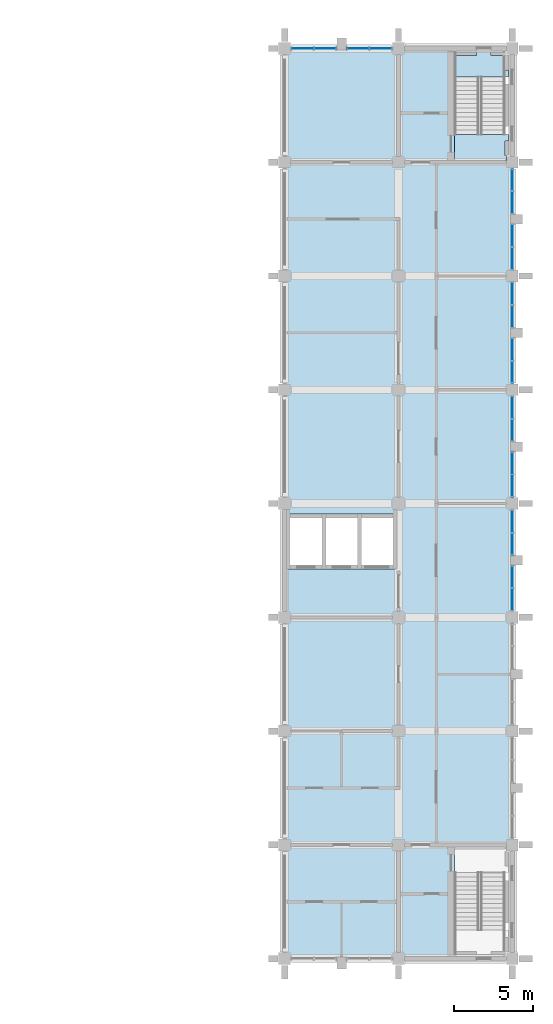
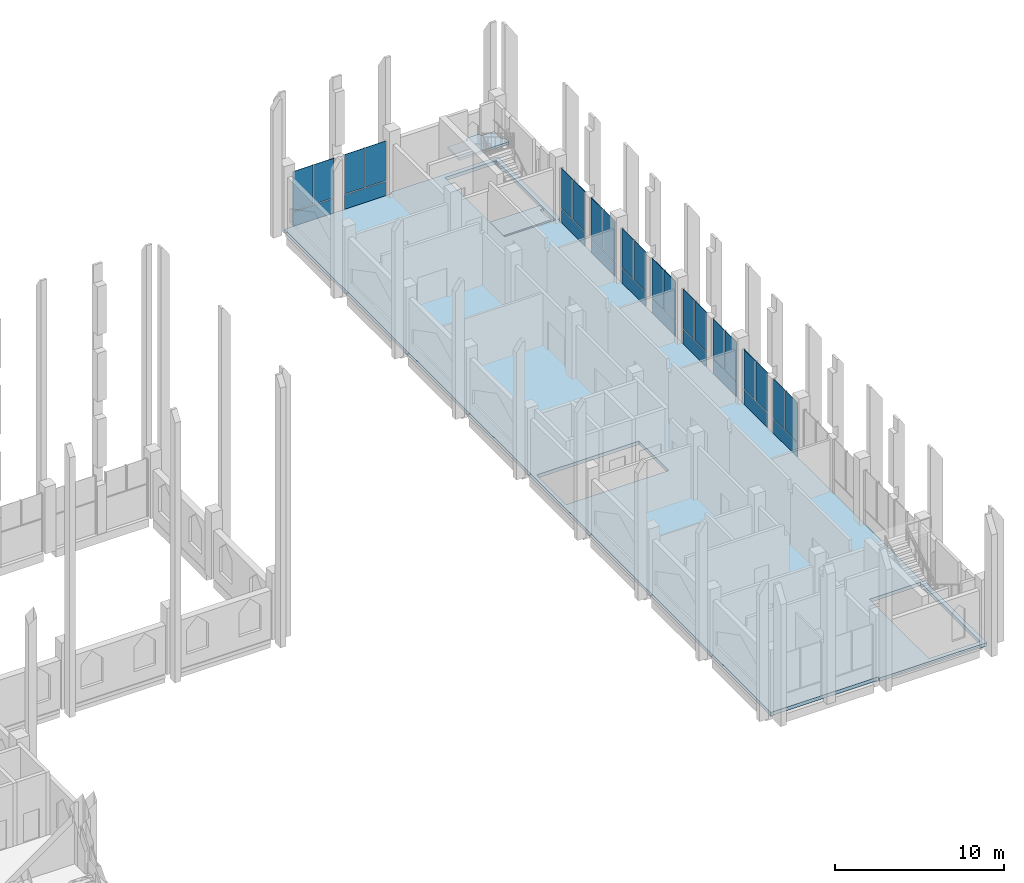
# One storey, part 26 of 40: 30 plates, 3 slabs, 11 elements without a shape of their own.
"""IFC4 building model written with IfcOpenShell, lengths in metres."""

from ifc_helpers import new_model, si_unit, direction, frame, origin, origin_2d, place, context, subcontext, project, spatial, polyline, rectangle, outline, extrude, material, layer, layer_set, type_object, element, aggregate, save


model = new_model("IFC4")

# Units and contexts
model_context = context("Model", 3, precision=1e-05, world=origin(), true_north=direction((0.0, 1.0)))
body_context = subcontext(model_context, "Body", "Model", "MODEL_VIEW")
ifc_project = project(units=[si_unit("LENGTHUNIT", "METRE"), si_unit("AREAUNIT", "SQUARE_METRE"), si_unit("VOLUMEUNIT", "CUBIC_METRE"), si_unit("PLANEANGLEUNIT", "RADIAN"), si_unit("MASSUNIT", "GRAM", prefix="KILO")], contexts=[model_context])

# Site, building, storey
site_placement = place(None, origin())
site = spatial("IfcSite", under=ifc_project, at=site_placement, CompositionType="ELEMENT")
building_placement = place(site_placement, origin())
building = spatial("IfcBuilding", under=site, at=building_placement, Name="Silangan Lancet Faculty of Sciences", CompositionType="ELEMENT")
storey_placement = place(building_placement, frame((0.0, 0.0, 21.60009765625)))
storey = spatial("IfcBuildingStorey", under=building, at=storey_placement, Name="L04", CompositionType="ELEMENT", Elevation=21.60009765625)

# Curtain wall, plates
ifc_material_1 = material(Name="Aluminium framed curtain wall with insulated glass", Category="aluminium")
curtain_wall_type = type_object("IfcCurtainWallType", Name="CW1 Commons and east block glazing", PredefinedType="NOTDEFINED", material=ifc_material_1)
curtain_wall_1_placement = place(storey_placement, origin())
curtain_wall_1 = element("IfcCurtainWall", 1, at=curtain_wall_1_placement, inside=storey, type_object=curtain_wall_type, Name="CW1 East commons L04 bay 5", PredefinedType="NOTDEFINED")
ifc_material_2 = material(Name="Insulated glass unit 8+16+8 low-emissivity", Category="glass")
ifc_layer_1 = layer(ifc_material_2, 0.031982421875)
ifc_layer_set_1 = layer_set([ifc_layer_1], Name="Insulated glass unit 8+16+8 low-emissivity")
plate_type_1 = type_object("IfcPlateType", Name="CP1 Panel vision glass 32", PredefinedType="CURTAIN_PANEL", material=ifc_layer_set_1)
plate_1_placement = place(storey_placement, frame((86.39990234375, 22.72119140625, 1.099853515625), z_axis=(0.0, 0.0, 1.0), x_axis=(0.0, 1.0, 0.0)))
plate_1 = element("IfcPlate", 2, at=plate_1_placement, type_object=plate_type_1, Name="CW1 East commons L04 bay 5 panel 2", PredefinedType="CURTAIN_PANEL", context=body_context, shape_type="SweptSolid", body=[
    extrude(rectangle(XDim=1.37255859375, YDim=0.031982421875, at=origin_2d()), origin(), (0.0, 0.0, 1.0), 2.85009765625),
])
plate_2_placement = place(storey_placement, frame((86.39990234375, 24.15380859375, 1.099853515625), z_axis=(0.0, 0.0, 1.0), x_axis=(0.0, 1.0, 0.0)))
plate_2 = element("IfcPlate", 3, at=plate_2_placement, type_object=plate_type_1, Name="CW1 East commons L04 bay 5 panel 3", PredefinedType="CURTAIN_PANEL", context=body_context, shape_type="SweptSolid", body=[
    extrude(rectangle(XDim=1.37255859375, YDim=0.031982421875, at=origin_2d()), origin(), (0.0, 0.0, 1.0), 2.85009765625),
])

curtain_wall_2_placement = place(storey_placement, origin())
curtain_wall_2 = element("IfcCurtainWall", 4, at=curtain_wall_2_placement, inside=storey, type_object=curtain_wall_type, Name="CW1 East commons L04 bay 6", PredefinedType="NOTDEFINED")
plate_3_placement = place(storey_placement, frame((86.39990234375, 26.246337890625, 1.099853515625), z_axis=(0.0, 0.0, 1.0), x_axis=(0.0, 1.0, 0.0)))
plate_3 = element("IfcPlate", 5, at=plate_3_placement, type_object=plate_type_1, Name="CW1 East commons L04 bay 6 panel 2", PredefinedType="CURTAIN_PANEL", context=body_context, shape_type="SweptSolid", body=[
    extrude(rectangle(XDim=1.37255859375, YDim=0.031982421875, at=origin_2d()), origin(), (0.0, 0.0, 1.0), 2.85009765625),
])
plate_4_placement = place(storey_placement, frame((86.39990234375, 27.6787109375, 1.099853515625), z_axis=(0.0, 0.0, 1.0), x_axis=(0.0, 1.0, 0.0)))
plate_4 = element("IfcPlate", 6, at=plate_4_placement, type_object=plate_type_1, Name="CW1 East commons L04 bay 6 panel 3", PredefinedType="CURTAIN_PANEL", context=body_context, shape_type="SweptSolid", body=[
    extrude(rectangle(XDim=1.37255859375, YDim=0.031982421875, at=origin_2d()), origin(), (0.0, 0.0, 1.0), 2.85009765625),
])

curtain_wall_3_placement = place(storey_placement, origin())
curtain_wall_3 = element("IfcCurtainWall", 7, at=curtain_wall_3_placement, inside=storey, type_object=curtain_wall_type, Name="CW1 East commons L04 bay 7", PredefinedType="NOTDEFINED")
plate_5_placement = place(storey_placement, frame((86.39990234375, 29.921142578125, 1.099853515625), z_axis=(0.0, 0.0, 1.0), x_axis=(0.0, 1.0, 0.0)))
plate_5 = element("IfcPlate", 8, at=plate_5_placement, type_object=plate_type_1, Name="CW1 East commons L04 bay 7 panel 2", PredefinedType="CURTAIN_PANEL", context=body_context, shape_type="SweptSolid", body=[
    extrude(rectangle(XDim=1.37255859375, YDim=0.031982421875, at=origin_2d()), origin(), (0.0, 0.0, 1.0), 2.85009765625),
])
plate_6_placement = place(storey_placement, frame((86.39990234375, 31.353759765625, 1.099853515625), z_axis=(0.0, 0.0, 1.0), x_axis=(0.0, 1.0, 0.0)))
plate_6 = element("IfcPlate", 9, at=plate_6_placement, type_object=plate_type_1, Name="CW1 East commons L04 bay 7 panel 3", PredefinedType="CURTAIN_PANEL", context=body_context, shape_type="SweptSolid", body=[
    extrude(rectangle(XDim=1.37255859375, YDim=0.031982421875, at=origin_2d()), origin(), (0.0, 0.0, 1.0), 2.85009765625),
])

curtain_wall_4_placement = place(storey_placement, origin())
curtain_wall_4 = element("IfcCurtainWall", 10, at=curtain_wall_4_placement, inside=storey, type_object=curtain_wall_type, Name="CW1 East commons L04 bay 8", PredefinedType="NOTDEFINED")
plate_7_placement = place(storey_placement, frame((86.39990234375, 33.4462890625, 1.099853515625), z_axis=(0.0, 0.0, 1.0), x_axis=(0.0, 1.0, 0.0)))
plate_7 = element("IfcPlate", 11, at=plate_7_placement, type_object=plate_type_1, Name="CW1 East commons L04 bay 8 panel 2", PredefinedType="CURTAIN_PANEL", context=body_context, shape_type="SweptSolid", body=[
    extrude(rectangle(XDim=1.37255859375, YDim=0.031982421875, at=origin_2d()), origin(), (0.0, 0.0, 1.0), 2.85009765625),
])
plate_8_placement = place(storey_placement, frame((86.39990234375, 34.878662109375, 1.099853515625), z_axis=(0.0, 0.0, 1.0), x_axis=(0.0, 1.0, 0.0)))
plate_8 = element("IfcPlate", 12, at=plate_8_placement, type_object=plate_type_1, Name="CW1 East commons L04 bay 8 panel 3", PredefinedType="CURTAIN_PANEL", context=body_context, shape_type="SweptSolid", body=[
    extrude(rectangle(XDim=1.37255859375, YDim=0.031982421875, at=origin_2d()), origin(), (0.0, 0.0, 1.0), 2.85009765625),
])

curtain_wall_5_placement = place(storey_placement, origin())
curtain_wall_5 = element("IfcCurtainWall", 13, at=curtain_wall_5_placement, inside=storey, type_object=curtain_wall_type, Name="CW1 East commons L04 bay 9", PredefinedType="NOTDEFINED")
plate_9_placement = place(storey_placement, frame((86.39990234375, 37.121337890625, 1.099853515625), z_axis=(0.0, 0.0, 1.0), x_axis=(0.0, 1.0, 0.0)))
plate_9 = element("IfcPlate", 14, at=plate_9_placement, type_object=plate_type_1, Name="CW1 East commons L04 bay 9 panel 2", PredefinedType="CURTAIN_PANEL", context=body_context, shape_type="SweptSolid", body=[
    extrude(rectangle(XDim=1.37255859375, YDim=0.031982421875, at=origin_2d()), origin(), (0.0, 0.0, 1.0), 2.85009765625),
])
plate_10_placement = place(storey_placement, frame((86.39990234375, 38.5537109375, 1.099853515625), z_axis=(0.0, 0.0, 1.0), x_axis=(0.0, 1.0, 0.0)))
plate_10 = element("IfcPlate", 15, at=plate_10_placement, type_object=plate_type_1, Name="CW1 East commons L04 bay 9 panel 3", PredefinedType="CURTAIN_PANEL", context=body_context, shape_type="SweptSolid", body=[
    extrude(rectangle(XDim=1.37255859375, YDim=0.031982421875, at=origin_2d()), origin(), (0.0, 0.0, 1.0), 2.85009765625),
])

curtain_wall_6_placement = place(storey_placement, origin())
curtain_wall_6 = element("IfcCurtainWall", 16, at=curtain_wall_6_placement, inside=storey, type_object=curtain_wall_type, Name="CW1 East commons L04 bay 10", PredefinedType="NOTDEFINED")
plate_11_placement = place(storey_placement, frame((86.39990234375, 40.646240234375, 1.099853515625), z_axis=(0.0, 0.0, 1.0), x_axis=(0.0, 1.0, 0.0)))
plate_11 = element("IfcPlate", 17, at=plate_11_placement, type_object=plate_type_1, Name="CW1 East commons L04 bay 10 panel 2", PredefinedType="CURTAIN_PANEL", context=body_context, shape_type="SweptSolid", body=[
    extrude(rectangle(XDim=1.37255859375, YDim=0.031982421875, at=origin_2d()), origin(), (0.0, 0.0, 1.0), 2.85009765625),
])
plate_12_placement = place(storey_placement, frame((86.39990234375, 42.078857421875, 1.099853515625), z_axis=(0.0, 0.0, 1.0), x_axis=(0.0, 1.0, 0.0)))
plate_12 = element("IfcPlate", 18, at=plate_12_placement, type_object=plate_type_1, Name="CW1 East commons L04 bay 10 panel 3", PredefinedType="CURTAIN_PANEL", context=body_context, shape_type="SweptSolid", body=[
    extrude(rectangle(XDim=1.37255859375, YDim=0.031982421875, at=origin_2d()), origin(), (0.0, 0.0, 1.0), 2.85009765625),
])

curtain_wall_7_placement = place(storey_placement, origin())
curtain_wall_7 = element("IfcCurtainWall", 19, at=curtain_wall_7_placement, inside=storey, type_object=curtain_wall_type, Name="CW1 East commons L04 bay 11", PredefinedType="NOTDEFINED")
plate_13_placement = place(storey_placement, frame((86.39990234375, 44.3212890625, 1.099853515625), z_axis=(0.0, 0.0, 1.0), x_axis=(0.0, 1.0, 0.0)))
plate_13 = element("IfcPlate", 20, at=plate_13_placement, type_object=plate_type_1, Name="CW1 East commons L04 bay 11 panel 2", PredefinedType="CURTAIN_PANEL", context=body_context, shape_type="SweptSolid", body=[
    extrude(rectangle(XDim=1.37255859375, YDim=0.031982421875, at=origin_2d()), origin(), (0.0, 0.0, 1.0), 2.85009765625),
])
plate_14_placement = place(storey_placement, frame((86.39990234375, 45.753662109375, 1.099853515625), z_axis=(0.0, 0.0, 1.0), x_axis=(0.0, 1.0, 0.0)))
plate_14 = element("IfcPlate", 21, at=plate_14_placement, type_object=plate_type_1, Name="CW1 East commons L04 bay 11 panel 3", PredefinedType="CURTAIN_PANEL", context=body_context, shape_type="SweptSolid", body=[
    extrude(rectangle(XDim=1.37255859375, YDim=0.031982421875, at=origin_2d()), origin(), (0.0, 0.0, 1.0), 2.85009765625),
])

curtain_wall_8_placement = place(storey_placement, origin())
curtain_wall_8 = element("IfcCurtainWall", 22, at=curtain_wall_8_placement, inside=storey, type_object=curtain_wall_type, Name="CW1 East commons L04 bay 12", PredefinedType="NOTDEFINED")
plate_15_placement = place(storey_placement, frame((86.39990234375, 47.84619140625, 1.099853515625), z_axis=(0.0, 0.0, 1.0), x_axis=(0.0, 1.0, 0.0)))
plate_15 = element("IfcPlate", 23, at=plate_15_placement, type_object=plate_type_1, Name="CW1 East commons L04 bay 12 panel 2", PredefinedType="CURTAIN_PANEL", context=body_context, shape_type="SweptSolid", body=[
    extrude(rectangle(XDim=1.37255859375, YDim=0.031982421875, at=origin_2d()), origin(), (0.0, 0.0, 1.0), 2.85009765625),
])
plate_16_placement = place(storey_placement, frame((86.39990234375, 49.27880859375, 1.099853515625), z_axis=(0.0, 0.0, 1.0), x_axis=(0.0, 1.0, 0.0)))
plate_16 = element("IfcPlate", 24, at=plate_16_placement, type_object=plate_type_1, Name="CW1 East commons L04 bay 12 panel 3", PredefinedType="CURTAIN_PANEL", context=body_context, shape_type="SweptSolid", body=[
    extrude(rectangle(XDim=1.37255859375, YDim=0.031982421875, at=origin_2d()), origin(), (0.0, 0.0, 1.0), 2.85009765625),
])

curtain_wall_9_placement = place(storey_placement, origin())
curtain_wall_9 = element("IfcCurtainWall", 25, at=curtain_wall_9_placement, inside=storey, type_object=curtain_wall_type, Name="CW1 East block north L04 bay 1", PredefinedType="NOTDEFINED")
plate_17_placement = place(storey_placement, frame((78.078857421875, 57.60009765625, 1.099853515625), z_axis=(0.0, 0.0, 1.0), x_axis=(-1.0, 0.0, 0.0)))
plate_17 = element("IfcPlate", 26, at=plate_17_placement, type_object=plate_type_1, Name="CW1 East block north L04 bay 1 panel 2", PredefinedType="CURTAIN_PANEL", context=body_context, shape_type="SweptSolid", body=[
    extrude(rectangle(XDim=1.37255859375, YDim=0.031982421875, at=origin_2d()), origin(), (0.0, 0.0, 1.0), 2.85009765625),
])
plate_18_placement = place(storey_placement, frame((76.646240234375, 57.60009765625, 1.099853515625), z_axis=(0.0, 0.0, 1.0), x_axis=(-1.0, 0.0, 0.0)))
plate_18 = element("IfcPlate", 27, at=plate_18_placement, type_object=plate_type_1, Name="CW1 East block north L04 bay 1 panel 3", PredefinedType="CURTAIN_PANEL", context=body_context, shape_type="SweptSolid", body=[
    extrude(rectangle(XDim=1.37255859375, YDim=0.031982421875, at=origin_2d()), origin(), (0.0, 0.0, 1.0), 2.85009765625),
])

curtain_wall_10_placement = place(storey_placement, origin())
curtain_wall_10 = element("IfcCurtainWall", 28, at=curtain_wall_10_placement, inside=storey, type_object=curtain_wall_type, Name="CW1 East block north L04 bay 2", PredefinedType="NOTDEFINED")
plate_19_placement = place(storey_placement, frame((74.5537109375, 57.60009765625, 1.099853515625), z_axis=(0.0, 0.0, 1.0), x_axis=(-1.0, 0.0, 0.0)))
plate_19 = element("IfcPlate", 29, at=plate_19_placement, type_object=plate_type_1, Name="CW1 East block north L04 bay 2 panel 2", PredefinedType="CURTAIN_PANEL", context=body_context, shape_type="SweptSolid", body=[
    extrude(rectangle(XDim=1.37255859375, YDim=0.031982421875, at=origin_2d()), origin(), (0.0, 0.0, 1.0), 2.85009765625),
])
plate_20_placement = place(storey_placement, frame((73.121337890625, 57.60009765625, 1.099853515625), z_axis=(0.0, 0.0, 1.0), x_axis=(-1.0, 0.0, 0.0)))
plate_20 = element("IfcPlate", 30, at=plate_20_placement, type_object=plate_type_1, Name="CW1 East block north L04 bay 2 panel 3", PredefinedType="CURTAIN_PANEL", context=body_context, shape_type="SweptSolid", body=[
    extrude(rectangle(XDim=1.37255859375, YDim=0.031982421875, at=origin_2d()), origin(), (0.0, 0.0, 1.0), 2.85009765625),
])

# Plate
ifc_material_3 = material(Name="Laminated insulated glass unit 10.76+14+8", Category="glass")
ifc_layer_2 = layer(ifc_material_3, 0.035888671875)
ifc_layer_set_2 = layer_set([ifc_layer_2], Name="Laminated insulated glass unit 10.76+14+8")
plate_type_2 = type_object("IfcPlateType", Name="CP2 Panel laminated glass 36", PredefinedType="CURTAIN_PANEL", material=ifc_layer_set_2)
plate_21_placement = place(storey_placement, frame((86.39990234375, 23.4375, 0.0), z_axis=(0.0, 0.0, 1.0), x_axis=(0.0, 1.0, 0.0)))
plate_21 = element("IfcPlate", 31, at=plate_21_placement, type_object=plate_type_2, Name="CW1 East commons L04 bay 5 panel 1", PredefinedType="CURTAIN_PANEL", context=body_context, shape_type="SweptSolid", body=[
    extrude(rectangle(XDim=2.804931640625, YDim=0.035888671875, at=origin_2d()), origin(), (0.0, 0.0, 1.0), 1.0400390625),
])

aggregate(curtain_wall_1, [plate_21, plate_1, plate_2])

plate_22_placement = place(storey_placement, frame((86.39990234375, 26.96240234375, 0.0), z_axis=(0.0, 0.0, 1.0), x_axis=(0.0, 1.0, 0.0)))
plate_22 = element("IfcPlate", 32, at=plate_22_placement, type_object=plate_type_2, Name="CW1 East commons L04 bay 6 panel 1", PredefinedType="CURTAIN_PANEL", context=body_context, shape_type="SweptSolid", body=[
    extrude(rectangle(XDim=2.804931640625, YDim=0.035888671875, at=origin_2d()), origin(), (0.0, 0.0, 1.0), 1.0400390625),
])

aggregate(curtain_wall_2, [plate_22, plate_3, plate_4])

plate_23_placement = place(storey_placement, frame((86.39990234375, 30.637451171875, 0.0), z_axis=(0.0, 0.0, 1.0), x_axis=(0.0, 1.0, 0.0)))
plate_23 = element("IfcPlate", 33, at=plate_23_placement, type_object=plate_type_2, Name="CW1 East commons L04 bay 7 panel 1", PredefinedType="CURTAIN_PANEL", context=body_context, shape_type="SweptSolid", body=[
    extrude(rectangle(XDim=2.804931640625, YDim=0.035888671875, at=origin_2d()), origin(), (0.0, 0.0, 1.0), 1.0400390625),
])

aggregate(curtain_wall_3, [plate_23, plate_5, plate_6])

plate_24_placement = place(storey_placement, frame((86.39990234375, 34.162353515625, 0.0), z_axis=(0.0, 0.0, 1.0), x_axis=(0.0, 1.0, 0.0)))
plate_24 = element("IfcPlate", 34, at=plate_24_placement, type_object=plate_type_2, Name="CW1 East commons L04 bay 8 panel 1", PredefinedType="CURTAIN_PANEL", context=body_context, shape_type="SweptSolid", body=[
    extrude(rectangle(XDim=2.80517578125, YDim=0.035888671875, at=origin_2d()), origin(), (0.0, 0.0, 1.0), 1.0400390625),
])

aggregate(curtain_wall_4, [plate_24, plate_7, plate_8])

plate_25_placement = place(storey_placement, frame((86.39990234375, 37.837646484375, 0.0), z_axis=(0.0, 0.0, 1.0), x_axis=(0.0, 1.0, 0.0)))
plate_25 = element("IfcPlate", 35, at=plate_25_placement, type_object=plate_type_2, Name="CW1 East commons L04 bay 9 panel 1", PredefinedType="CURTAIN_PANEL", context=body_context, shape_type="SweptSolid", body=[
    extrude(rectangle(XDim=2.80517578125, YDim=0.035888671875, at=origin_2d()), origin(), (0.0, 0.0, 1.0), 1.0400390625),
])

aggregate(curtain_wall_5, [plate_25, plate_9, plate_10])

plate_26_placement = place(storey_placement, frame((86.39990234375, 41.362548828125, 0.0), z_axis=(0.0, 0.0, 1.0), x_axis=(0.0, 1.0, 0.0)))
plate_26 = element("IfcPlate", 36, at=plate_26_placement, type_object=plate_type_2, Name="CW1 East commons L04 bay 10 panel 1", PredefinedType="CURTAIN_PANEL", context=body_context, shape_type="SweptSolid", body=[
    extrude(rectangle(XDim=2.804931640625, YDim=0.035888671875, at=origin_2d()), origin(), (0.0, 0.0, 1.0), 1.0400390625),
])

aggregate(curtain_wall_6, [plate_26, plate_11, plate_12])

plate_27_placement = place(storey_placement, frame((86.39990234375, 45.03759765625, 0.0), z_axis=(0.0, 0.0, 1.0), x_axis=(0.0, 1.0, 0.0)))
plate_27 = element("IfcPlate", 37, at=plate_27_placement, type_object=plate_type_2, Name="CW1 East commons L04 bay 11 panel 1", PredefinedType="CURTAIN_PANEL", context=body_context, shape_type="SweptSolid", body=[
    extrude(rectangle(XDim=2.804931640625, YDim=0.035888671875, at=origin_2d()), origin(), (0.0, 0.0, 1.0), 1.0400390625),
])

aggregate(curtain_wall_7, [plate_27, plate_13, plate_14])

plate_28_placement = place(storey_placement, frame((86.39990234375, 48.5625, 0.0), z_axis=(0.0, 0.0, 1.0), x_axis=(0.0, 1.0, 0.0)))
plate_28 = element("IfcPlate", 38, at=plate_28_placement, type_object=plate_type_2, Name="CW1 East commons L04 bay 12 panel 1", PredefinedType="CURTAIN_PANEL", context=body_context, shape_type="SweptSolid", body=[
    extrude(rectangle(XDim=2.804931640625, YDim=0.035888671875, at=origin_2d()), origin(), (0.0, 0.0, 1.0), 1.0400390625),
])

aggregate(curtain_wall_8, [plate_28, plate_15, plate_16])

plate_29_placement = place(storey_placement, frame((77.362548828125, 57.60009765625, 0.0), z_axis=(0.0, 0.0, 1.0), x_axis=(-1.0, 0.0, 0.0)))
plate_29 = element("IfcPlate", 39, at=plate_29_placement, type_object=plate_type_2, Name="CW1 East block north L04 bay 1 panel 1", PredefinedType="CURTAIN_PANEL", context=body_context, shape_type="SweptSolid", body=[
    extrude(rectangle(XDim=2.804931640625, YDim=0.035888671875, at=origin_2d()), origin(), (0.0, 0.0, 1.0), 1.0400390625),
])

aggregate(curtain_wall_9, [plate_29, plate_17, plate_18])

plate_30_placement = place(storey_placement, frame((73.837646484375, 57.60009765625, 0.0), z_axis=(0.0, 0.0, 1.0), x_axis=(-1.0, 0.0, 0.0)))
plate_30 = element("IfcPlate", 40, at=plate_30_placement, type_object=plate_type_2, Name="CW1 East block north L04 bay 2 panel 1", PredefinedType="CURTAIN_PANEL", context=body_context, shape_type="SweptSolid", body=[
    extrude(rectangle(XDim=2.80517578125, YDim=0.035888671875, at=origin_2d()), origin(), (0.0, 0.0, 1.0), 1.0400390625),
])

aggregate(curtain_wall_10, [plate_30, plate_19, plate_20])

# Slab
ifc_material_4 = material(Name="Concrete C35/45", Category="concrete")
ifc_layer_3 = layer(ifc_material_4, 0.25)
ifc_layer_set_3 = layer_set([ifc_layer_3], Name="Concrete C35/45")
slab_type_1 = type_object("IfcSlabType", Name="SLAB FLOOR 250", PredefinedType="FLOOR", material=ifc_layer_set_3)
slab_1_placement = place(storey_placement, frame((0.0, 0.0, -0.25)))
element("IfcSlab", 41, at=slab_1_placement, inside=storey, type_object=slab_type_1, Name="SLAB-L04-EB", PredefinedType="FLOOR", context=body_context, shape_type="SweptSolid", body=[
    extrude(outline(polyline([(86.550048828125, 7.199951171875), (86.39990234375, 7.199951171875), (86.39990234375, 50.39990234375), (86.550048828125, 50.39990234375), (86.550048828125, 57.75), (79.199951171875, 57.75), (79.199951171875, 57.60009765625), (71.85009765625, 57.60009765625), (71.85009765625, 0.0), (79.199951171875, 0.0), (79.199951171875, -0.14990234375), (86.550048828125, -0.14990234375), (86.550048828125, 7.199951171875)]), holes=[polyline([(82.75, 7.199951171875), (86.25, 7.199951171875), (86.25, 0.14990234375), (82.75, 0.14990234375), (82.75, 7.199951171875)]), polyline([(79.10009765625, 28.14990234375), (79.10009765625, 24.64990234375), (72.10009765625, 24.64990234375), (72.10009765625, 28.14990234375), (79.10009765625, 28.14990234375)]), polyline([(82.75, 57.449951171875), (86.25, 57.449951171875), (86.25, 50.39990234375), (82.75, 50.39990234375), (82.75, 57.449951171875)])]), origin(), (0.0, 0.0, 1.0), 0.25),
])

# Stair, slabs
ifc_material_5 = material(Name="Concrete C40/50", Category="concrete")
stair_type = type_object("IfcStairType", Name="TURRET STAIR 1550 TWO-FLIGHT", PredefinedType="HALF_TURN_STAIR", material=ifc_material_5)
stair_placement = place(storey_placement, origin())
stair = element("IfcStair", 42, at=stair_placement, inside=storey, type_object=stair_type, Name="EB-B stair L04", PredefinedType="HALF_TURN_STAIR")
ifc_material_6 = material(Name="Concrete C40/50", Category="concrete")
ifc_layer_4 = layer(ifc_material_6, 0.179931640625)
ifc_layer_set_4 = layer_set([ifc_layer_4], Name="Concrete C40/50")
slab_type_2 = type_object("IfcSlabType", Name="TURRET STAIR LANDING RC 180", PredefinedType="LANDING", material=ifc_layer_set_4)
slab_2_placement = place(storey_placement, frame((0.0, 0.0, -0.18017578125)))
slab_2 = element("IfcSlab", 43, at=slab_2_placement, type_object=slab_type_2, Name="STR10 landing 1", PredefinedType="LANDING", context=body_context, shape_type="SweptSolid", body=[
    extrude(outline(polyline([(86.02490234375, 50.824951171875), (86.02490234375, 50.52490234375), (82.75, 50.52490234375), (82.75, 52.14990234375), (86.175048828125, 52.14990234375), (86.175048828125, 51.75), (85.949951171875, 51.75), (85.949951171875, 50.824951171875), (86.02490234375, 50.824951171875)])), origin(), (0.0, 0.0, 1.0), 0.18017578125),
])
slab_3_placement = place(storey_placement, frame((0.0, 0.0, 2.219970703125)))
slab_3 = element("IfcSlab", 44, at=slab_3_placement, type_object=slab_type_2, Name="STR10 landing 2", PredefinedType="LANDING", context=body_context, shape_type="SweptSolid", body=[
    extrude(outline(polyline([(85.949951171875, 57.14990234375), (85.949951171875, 56.25), (86.175048828125, 56.25), (86.175048828125, 55.7900390625), (82.75, 55.7900390625), (82.75, 57.14990234375), (84.14990234375, 57.14990234375), (84.14990234375, 57.375), (85.050048828125, 57.375), (85.050048828125, 57.14990234375), (85.949951171875, 57.14990234375)])), origin(), (0.0, 0.0, 1.0), 0.179931640625),
])
aggregate(stair, [slab_2, slab_3])

save(model, "model.ifc")
